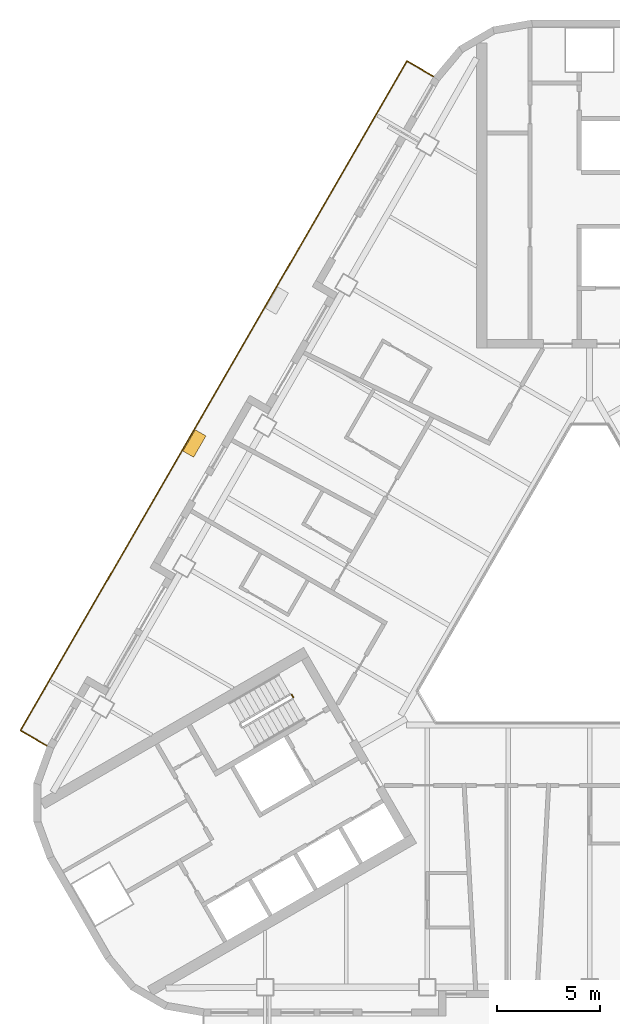
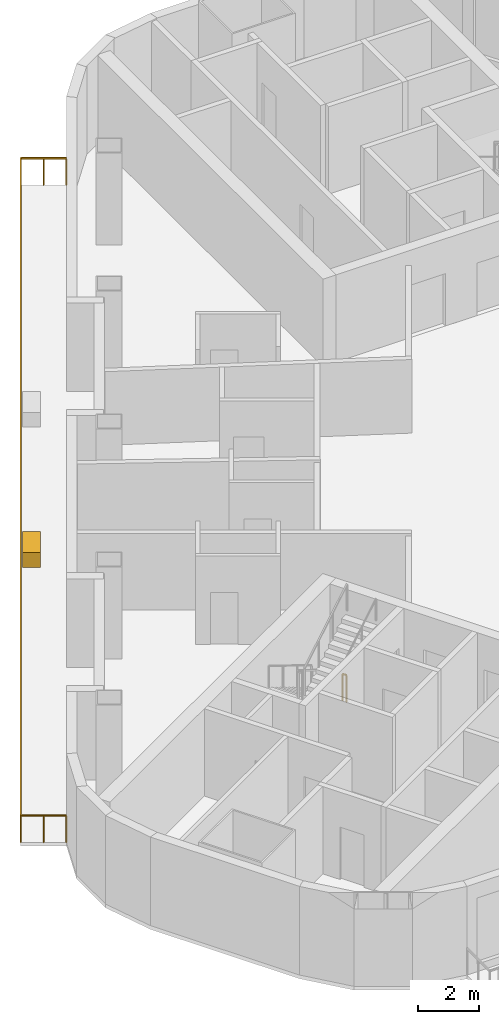
# One storey, part 11 of 14: 2 railings, 1 covering.
"""IFC4 building model written with IfcOpenShell, lengths in metres."""

from ifc_helpers import new_model, si_unit, direction, frame, origin, origin_2d, place, context, subcontext, project, spatial, rectangle, extrude, material, type_object, element, save


model = new_model("IFC4")

# Units and contexts
model_context = context("Model", 3, precision=1e-05, world=origin(), true_north=direction((0.0, 1.0)))
body_context = subcontext(model_context, "Body", "Model", "MODEL_VIEW")
ifc_project = project(units=[si_unit("LENGTHUNIT", "METRE"), si_unit("AREAUNIT", "SQUARE_METRE"), si_unit("VOLUMEUNIT", "CUBIC_METRE"), si_unit("PLANEANGLEUNIT", "RADIAN"), si_unit("MASSUNIT", "GRAM", prefix="KILO")], contexts=[model_context])

# Site, building, storey
site_placement = place(None, origin())
site = spatial("IfcSite", under=ifc_project, at=site_placement, CompositionType="ELEMENT")
building_placement = place(site_placement, origin())
building = spatial("IfcBuilding", under=site, at=building_placement, Name="Apuvela Tower Hotel", CompositionType="ELEMENT")
storey_placement = place(building_placement, frame((0.0, 0.0, 150.300048828125)))
storey = spatial("IfcBuildingStorey", under=building, at=storey_placement, Name="L35", CompositionType="ELEMENT", Elevation=150.300048828125)

# Railings
ifc_material_1 = material(Name="Steel S275 balustrade", Category="steel")
railing_type_1 = type_object("IfcRailingType", Name="COR-GUARD-1100", PredefinedType="GUARDRAIL", material=ifc_material_1)
railing_1_placement = place(storey_placement, frame((-14.500732421875, -3.984130859375, 0.0)))
element("IfcRailing", 1, at=railing_1_placement, inside=storey, type_object=railing_type_1, Name="L35 ST2 stair guard 4", PredefinedType="GUARDRAIL", context=body_context, shape_type="SweptSolid", body=[
    extrude(rectangle(XDim=0.048095703125, YDim=0.048095703125, at=origin_2d()), frame((0.0, 0.0, 1.076171875), z_axis=(0.499816412211, -0.866131372301, 0.0), x_axis=(0.866131372301, 0.499816412211, 0.0)), (0.0, 0.0, 1.0), 0.14990234375),
    extrude(rectangle(XDim=0.0419921875, YDim=0.0419921875, at=origin_2d()), origin(), (0.0, 0.0, 1.0), 1.052001953125),
    extrude(rectangle(XDim=0.0419921875, YDim=0.0419921875, at=origin_2d()), frame((0.074951171875, -0.1298828125, 0.0)), (0.0, 0.0, 1.0), 1.052001953125),
])
ifc_material_2 = material(Name="Stainless steel 316 rail with laminated glass infill", Category="steel")
railing_type_2 = type_object("IfcRailingType", Name="ENV-GUARD-1100", PredefinedType="GUARDRAIL", material=ifc_material_2)
railing_2_placement = place(storey_placement, frame((-7.59228515625, 26.110107421875, 0.0)))
element("IfcRailing", 2, at=railing_2_placement, inside=storey, type_object=railing_type_2, Name="Balcony guard NW L35", PredefinedType="GUARDRAIL", context=body_context, shape_type="SweptSolid", body=[
    extrude(rectangle(XDim=0.050048828125, YDim=0.050048828125, at=origin_2d()), frame((0.0, 0.0, 1.0751953125), z_axis=(-0.86599040064, 0.500060622324, 0.0), x_axis=(-0.500060622324, -0.86599040064, 0.0)), (0.0, 0.0, 1.0), 1.499755859375),
    extrude(rectangle(XDim=0.050048828125, YDim=0.050048828125, at=origin_2d()), frame((-1.298828125, 0.75, 1.0751953125), z_axis=(-0.500000437506, -0.86602515119, 0.0), x_axis=(0.86602515119, -0.500000437506, 0.0)), (0.0, 0.0, 1.0), 37.6318359375),
    extrude(rectangle(XDim=0.050048828125, YDim=0.050048828125, at=origin_2d()), frame((-20.11474609375, -31.840087890625, 1.0751953125), z_axis=(0.866031096941, -0.499990139034, 0.0), x_axis=(0.499990139034, 0.866031096941, 0.0)), (0.0, 0.0, 1.0), 1.5),
    extrude(rectangle(XDim=0.0400390625, YDim=0.0400390625, at=origin_2d()), origin(), (0.0, 0.0, 1.0), 1.050048828125),
    extrude(rectangle(XDim=0.0400390625, YDim=0.0400390625, at=origin_2d()), frame((-0.6494140625, 0.375, 0.0)), (0.0, 0.0, 1.0), 1.050048828125),
    extrude(rectangle(XDim=0.0400390625, YDim=0.0400390625, at=origin_2d()), frame((-1.298828125, 0.75, 0.0)), (0.0, 0.0, 1.0), 1.050048828125),
    extrude(rectangle(XDim=0.0400390625, YDim=0.0400390625, at=origin_2d()), frame((-1.88671875, -0.2685546875, 0.0)), (0.0, 0.0, 1.0), 1.050048828125),
    extrude(rectangle(XDim=0.0400390625, YDim=0.0400390625, at=origin_2d()), frame((-2.474853515625, -1.286865234375, 0.0)), (0.0, 0.0, 1.0), 1.050048828125),
    extrude(rectangle(XDim=0.0400390625, YDim=0.0400390625, at=origin_2d()), frame((-3.062744140625, -2.305419921875, 0.0)), (0.0, 0.0, 1.0), 1.050048828125),
    extrude(rectangle(XDim=0.0400390625, YDim=0.0400390625, at=origin_2d()), frame((-3.65087890625, -3.32373046875, 0.0)), (0.0, 0.0, 1.0), 1.050048828125),
    extrude(rectangle(XDim=0.0400390625, YDim=0.0400390625, at=origin_2d()), frame((-4.23876953125, -4.34228515625, 0.0)), (0.0, 0.0, 1.0), 1.050048828125),
    extrude(rectangle(XDim=0.0400390625, YDim=0.0400390625, at=origin_2d()), frame((-4.826904296875, -5.360595703125, 0.0)), (0.0, 0.0, 1.0), 1.050048828125),
    extrude(rectangle(XDim=0.0400390625, YDim=0.0400390625, at=origin_2d()), frame((-5.414794921875, -6.379150390625, 0.0)), (0.0, 0.0, 1.0), 1.050048828125),
    extrude(rectangle(XDim=0.0400390625, YDim=0.0400390625, at=origin_2d()), frame((-6.0029296875, -7.3974609375, 0.0)), (0.0, 0.0, 1.0), 1.050048828125),
    extrude(rectangle(XDim=0.0400390625, YDim=0.0400390625, at=origin_2d()), frame((-6.5908203125, -8.416015625, 0.0)), (0.0, 0.0, 1.0), 1.050048828125),
    extrude(rectangle(XDim=0.0400390625, YDim=0.0400390625, at=origin_2d()), frame((-7.1787109375, -9.434326171875, 0.0)), (0.0, 0.0, 1.0), 1.050048828125),
    extrude(rectangle(XDim=0.0400390625, YDim=0.0400390625, at=origin_2d()), frame((-7.766845703125, -10.452880859375, 0.0)), (0.0, 0.0, 1.0), 1.050048828125),
    extrude(rectangle(XDim=0.0400390625, YDim=0.0400390625, at=origin_2d()), frame((-8.354736328125, -11.47119140625, 0.0)), (0.0, 0.0, 1.0), 1.050048828125),
    extrude(rectangle(XDim=0.0400390625, YDim=0.0400390625, at=origin_2d()), frame((-8.94287109375, -12.48974609375, 0.0)), (0.0, 0.0, 1.0), 1.050048828125),
    extrude(rectangle(XDim=0.0400390625, YDim=0.0400390625, at=origin_2d()), frame((-9.53076171875, -13.508056640625, 0.0)), (0.0, 0.0, 1.0), 1.050048828125),
    extrude(rectangle(XDim=0.0400390625, YDim=0.0400390625, at=origin_2d()), frame((-10.118896484375, -14.526611328125, 0.0)), (0.0, 0.0, 1.0), 1.050048828125),
    extrude(rectangle(XDim=0.0400390625, YDim=0.0400390625, at=origin_2d()), frame((-10.706787109375, -15.544921875, 0.0)), (0.0, 0.0, 1.0), 1.050048828125),
    extrude(rectangle(XDim=0.0400390625, YDim=0.0400390625, at=origin_2d()), frame((-11.294677734375, -16.5634765625, 0.0)), (0.0, 0.0, 1.0), 1.050048828125),
    extrude(rectangle(XDim=0.0400390625, YDim=0.0400390625, at=origin_2d()), frame((-11.8828125, -17.58203125, 0.0)), (0.0, 0.0, 1.0), 1.050048828125),
    extrude(rectangle(XDim=0.0400390625, YDim=0.0400390625, at=origin_2d()), frame((-12.470703125, -18.600341796875, 0.0)), (0.0, 0.0, 1.0), 1.050048828125),
    extrude(rectangle(XDim=0.0400390625, YDim=0.0400390625, at=origin_2d()), frame((-13.058837890625, -19.618896484375, 0.0)), (0.0, 0.0, 1.0), 1.050048828125),
    extrude(rectangle(XDim=0.0400390625, YDim=0.0400390625, at=origin_2d()), frame((-13.646728515625, -20.63720703125, 0.0)), (0.0, 0.0, 1.0), 1.050048828125),
    extrude(rectangle(XDim=0.0400390625, YDim=0.0400390625, at=origin_2d()), frame((-14.23486328125, -21.65576171875, 0.0)), (0.0, 0.0, 1.0), 1.050048828125),
    extrude(rectangle(XDim=0.0400390625, YDim=0.0400390625, at=origin_2d()), frame((-14.82275390625, -22.674072265625, 0.0)), (0.0, 0.0, 1.0), 1.050048828125),
    extrude(rectangle(XDim=0.0400390625, YDim=0.0400390625, at=origin_2d()), frame((-15.41064453125, -23.692626953125, 0.0)), (0.0, 0.0, 1.0), 1.050048828125),
    extrude(rectangle(XDim=0.0400390625, YDim=0.0400390625, at=origin_2d()), frame((-15.998779296875, -24.7109375, 0.0)), (0.0, 0.0, 1.0), 1.050048828125),
    extrude(rectangle(XDim=0.0400390625, YDim=0.0400390625, at=origin_2d()), frame((-16.586669921875, -25.7294921875, 0.0)), (0.0, 0.0, 1.0), 1.050048828125),
    extrude(rectangle(XDim=0.0400390625, YDim=0.0400390625, at=origin_2d()), frame((-17.1748046875, -26.747802734375, 0.0)), (0.0, 0.0, 1.0), 1.050048828125),
    extrude(rectangle(XDim=0.0400390625, YDim=0.0400390625, at=origin_2d()), frame((-17.7626953125, -27.766357421875, 0.0)), (0.0, 0.0, 1.0), 1.050048828125),
    extrude(rectangle(XDim=0.0400390625, YDim=0.0400390625, at=origin_2d()), frame((-18.350830078125, -28.78466796875, 0.0)), (0.0, 0.0, 1.0), 1.050048828125),
    extrude(rectangle(XDim=0.0400390625, YDim=0.0400390625, at=origin_2d()), frame((-18.938720703125, -29.80322265625, 0.0)), (0.0, 0.0, 1.0), 1.050048828125),
    extrude(rectangle(XDim=0.0400390625, YDim=0.0400390625, at=origin_2d()), frame((-19.52685546875, -30.821533203125, 0.0)), (0.0, 0.0, 1.0), 1.050048828125),
    extrude(rectangle(XDim=0.0400390625, YDim=0.0400390625, at=origin_2d()), frame((-20.11474609375, -31.840087890625, 0.0)), (0.0, 0.0, 1.0), 1.050048828125),
    extrude(rectangle(XDim=0.0400390625, YDim=0.0400390625, at=origin_2d()), frame((-19.46533203125, -32.215087890625, 0.0)), (0.0, 0.0, 1.0), 1.050048828125),
    extrude(rectangle(XDim=0.0400390625, YDim=0.0400390625, at=origin_2d()), frame((-18.815673828125, -32.590087890625, 0.0)), (0.0, 0.0, 1.0), 1.050048828125),
])

# Covering
ifc_material_3 = material(Name="Planting substrate and soil, planted")
covering_type = type_object("IfcCoveringType", Name="ENV-PLANTER-1200x600", PredefinedType="USERDEFINED", material=ifc_material_3)
covering_placement = place(storey_placement, frame((-19.23583984375, 8.242431640625, 0.0), z_axis=(0.0, 0.0, 1.0), x_axis=(-0.5, -0.866025403784, 0.0)))
element("IfcCovering", 3, at=covering_placement, inside=storey, type_object=covering_type, Name="Planter NW5", ObjectType="PLANTER", PredefinedType="USERDEFINED", context=body_context, shape_type="SweptSolid", body=[
    extrude(rectangle(XDim=1.199951171875, YDim=0.60009765625, at=origin_2d()), origin(), (0.0, 0.0, 1.0), 0.60009765625),
])

save(model, "model.ifc")
